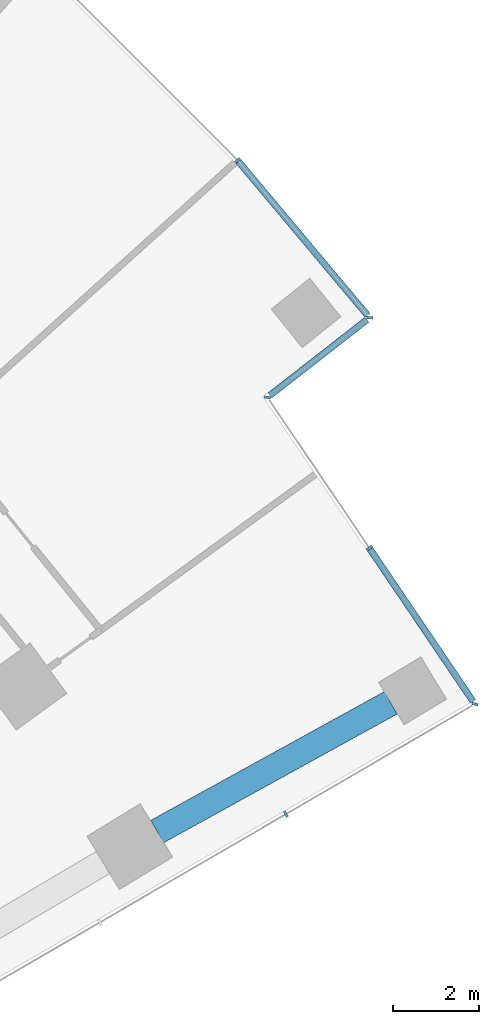
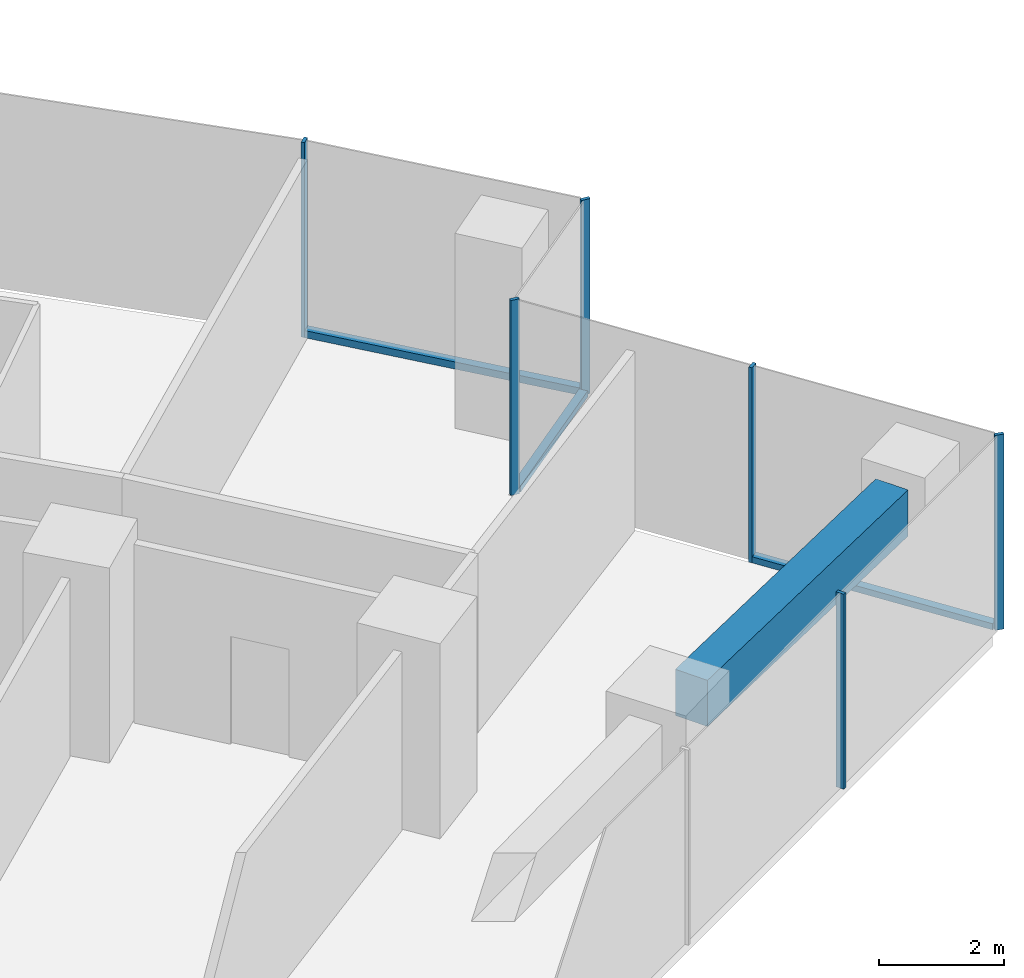
# One storey, part 9 of 21: 9 members, 1 beam, 4 elements without a shape of their own.
"""IFC4 building model written with IfcOpenShell, lengths in metres."""

from ifc_helpers import new_model, si_unit, direction, frame, origin, origin_2d, place, context, subcontext, project, spatial, rectangle, extrude, material, layer, layer_set, material_profile, profile_set, type_object, element, aggregate, save


model = new_model("IFC4")

# Units and contexts
model_context = context("Model", 3, precision=1e-05, world=origin(), true_north=direction((0.0, 1.0)))
body_context = subcontext(model_context, "Body", "Model", "MODEL_VIEW")
ifc_project = project(units=[si_unit("LENGTHUNIT", "METRE"), si_unit("AREAUNIT", "SQUARE_METRE"), si_unit("VOLUMEUNIT", "CUBIC_METRE"), si_unit("PLANEANGLEUNIT", "RADIAN"), si_unit("MASSUNIT", "GRAM", prefix="KILO")], contexts=[model_context])

# Site, building, storey
site_placement = place(None, origin())
site = spatial("IfcSite", under=ifc_project, at=site_placement, CompositionType="ELEMENT")
building_placement = place(site_placement, origin())
building = spatial("IfcBuilding", under=site, at=building_placement, Name="Stone Belt Terrace Tower", CompositionType="ELEMENT")
storey_placement = place(building_placement, frame((0.0, 0.0, 113.60009765625)))
storey = spatial("IfcBuildingStorey", under=building, at=storey_placement, Name="L27", CompositionType="ELEMENT", Elevation=113.60009765625)

# Curtain wall, members
ifc_material_1 = material(Name="Aluminium 6063-T6 anodised frame", Category="aluminium")
ifc_layer_1 = layer(ifc_material_1, 0.14990234375)
ifc_layer_set_1 = layer_set([ifc_layer_1], Name="CW-A unitised convex-face curtain wall")
curtain_wall_type_1 = type_object("IfcCurtainWallType", Name="CW-A unitised convex-face curtain wall", PredefinedType="NOTDEFINED", material=ifc_layer_set_1)
curtain_wall_1_placement = place(storey_placement, origin())
curtain_wall_1 = element("IfcCurtainWall", 1, at=curtain_wall_1_placement, inside=storey, type_object=curtain_wall_type_1, Name="CW-A convex face L27", PredefinedType="NOTDEFINED")
ifc_material_profile_1 = material_profile(ifc_material_1, rectangle(XDim=0.14990234375, YDim=0.06005859375, at=origin_2d()), Name="Aluminium 6063-T6 60x150")
ifc_profile_set_1 = profile_set([ifc_material_profile_1], Name="Aluminium 6063-T6 anodised frame")
member_type_1 = type_object("IfcMemberType", Name="CW-A mullion 60 x 150", PredefinedType="MULLION", material=ifc_profile_set_1)
member_1_placement = place(storey_placement, frame((52.539794921875, 40.89208984375, 0.0), z_axis=(0.0, 0.0, 1.0), x_axis=(-0.994464768622, 0.105070566623, 0.0)))
member_1 = element("IfcMember", 2, at=member_1_placement, type_object=member_type_1, Name="CW-A mullion 1", PredefinedType="MULLION", context=body_context, shape_type="SweptSolid", body=[
    extrude(rectangle(XDim=0.14990234375, YDim=0.06005859375, at=origin_2d()), origin(), (0.0, 0.0, 1.0), 3.7998046875),
])
member_2_placement = place(storey_placement, frame((49.474609375, 44.5478515625, 0.0), z_axis=(0.0, 0.0, 1.0), x_axis=(-0.737400080522, -0.675456231925, 0.0)))
member_2 = element("IfcMember", 3, at=member_2_placement, type_object=member_type_1, Name="CW-A mullion 2", PredefinedType="MULLION", context=body_context, shape_type="SweptSolid", body=[
    extrude(rectangle(XDim=0.14990234375, YDim=0.06005859375, at=origin_2d()), origin(), (0.0, 0.0, 1.0), 3.7998046875),
])
ifc_material_profile_2 = material_profile(ifc_material_1, rectangle(XDim=0.14990234375, YDim=0.139892578125, at=origin_2d()), Name="Aluminium 6063-T6 150x140")
ifc_profile_set_2 = profile_set([ifc_material_profile_2], Name="Aluminium 6063-T6 anodised frame")
member_type_2 = type_object("IfcMemberType", Name="CW-A transom 140 x 150", PredefinedType="USERDEFINED", material=ifc_profile_set_2)
member_3_placement = place(storey_placement, frame((52.49169921875, 40.949462890625, 0.06982421875), z_axis=(-0.642504178028, 0.766282181195, 0.0), x_axis=(-0.766282181195, -0.642504178028, 0.0)))
member_3 = element("IfcMember", 4, at=member_3_placement, type_object=member_type_2, Name="CW-A transom 1.1", ObjectType="TRANSOM", PredefinedType="USERDEFINED", context=body_context, shape_type="SweptSolid", body=[
    extrude(rectangle(XDim=0.14990234375, YDim=0.139892578125, at=origin_2d()), origin(), (0.0, 0.0, 1.0), 4.662841796875),
])
aggregate(curtain_wall_1, [member_1, member_2, member_3])

# Curtain wall, member
ifc_layer_2 = layer(ifc_material_1, 0.14990234375)
ifc_layer_set_2 = layer_set([ifc_layer_2], Name="CW-C stick curtain wall, horn ends and notches")
curtain_wall_type_2 = type_object("IfcCurtainWallType", Name="CW-C stick curtain wall, horn ends and notches", PredefinedType="NOTDEFINED", material=ifc_layer_set_2)
curtain_wall_2_placement = place(storey_placement, origin())
curtain_wall_2 = element("IfcCurtainWall", 5, at=curtain_wall_2_placement, inside=storey, type_object=curtain_wall_type_2, Name="CW-C end face L27", PredefinedType="NOTDEFINED")
ifc_material_profile_3 = material_profile(ifc_material_1, rectangle(XDim=0.14990234375, YDim=0.06005859375, at=origin_2d()), Name="Aluminium 6063-T6 60x150")
ifc_profile_set_3 = profile_set([ifc_material_profile_3], Name="Aluminium 6063-T6 anodised frame")
member_type_3 = type_object("IfcMemberType", Name="CW-C mullion 60 x 150", PredefinedType="MULLION", material=ifc_profile_set_3)
member_4_placement = place(storey_placement, frame((50.595703125, 29.365478515625, 0.0), z_axis=(0.0, 0.0, 1.0), x_axis=(-0.503080901861, 0.864239322284, 0.0)))
member_4 = element("IfcMember", 6, at=member_4_placement, type_object=member_type_3, Name="CW-C mullion 4", PredefinedType="MULLION", context=body_context, shape_type="SweptSolid", body=[
    extrude(rectangle(XDim=0.14990234375, YDim=0.06005859375, at=origin_2d()), origin(), (0.0, 0.0, 1.0), 3.7998046875),
])
aggregate(curtain_wall_2, [member_4])

# Curtain wall, members
curtain_wall_3_placement = place(storey_placement, origin())
curtain_wall_3 = element("IfcCurtainWall", 7, at=curtain_wall_3_placement, inside=storey, type_object=curtain_wall_type_2, Name="CW-C notch face L27", PredefinedType="NOTDEFINED")
member_5_placement = place(storey_placement, frame((54.986328125, 31.921142578125, 0.0), z_axis=(0.0, 0.0, 1.0), x_axis=(-0.974926991266, 0.222524968715, 0.0)))
member_5 = element("IfcMember", 8, at=member_5_placement, type_object=member_type_3, Name="CW-C mullion 1", PredefinedType="MULLION", context=body_context, shape_type="SweptSolid", body=[
    extrude(rectangle(XDim=0.14990234375, YDim=0.06005859375, at=origin_2d()), origin(), (0.0, 0.0, 1.0), 3.7998046875),
])
member_6_placement = place(storey_placement, frame((52.53515625, 35.5439453125, 0.0), z_axis=(0.0, 0.0, 1.0), x_axis=(-0.828244257471, -0.560367245622, 0.0)))
member_6 = element("IfcMember", 9, at=member_6_placement, type_object=member_type_3, Name="CW-C mullion 2", PredefinedType="MULLION", context=body_context, shape_type="SweptSolid", body=[
    extrude(rectangle(XDim=0.14990234375, YDim=0.06005859375, at=origin_2d()), origin(), (0.0, 0.0, 1.0), 3.7998046875),
])

# Curtain wall, member
curtain_wall_4_placement = place(storey_placement, origin())
curtain_wall_4 = element("IfcCurtainWall", 10, at=curtain_wall_4_placement, inside=storey, type_object=curtain_wall_type_2, Name="CW-C notch face L27", PredefinedType="NOTDEFINED")
member_7_placement = place(storey_placement, frame((50.16845703125, 39.0419921875, 0.0), z_axis=(0.0, 0.0, 1.0), x_axis=(-0.987742281651, 0.156093513764, 0.0)))
member_7 = element("IfcMember", 11, at=member_7_placement, type_object=member_type_3, Name="CW-C mullion 1", PredefinedType="MULLION", context=body_context, shape_type="SweptSolid", body=[
    extrude(rectangle(XDim=0.14990234375, YDim=0.06005859375, at=origin_2d()), origin(), (0.0, 0.0, 1.0), 3.7998046875),
])

# Member
ifc_material_profile_4 = material_profile(ifc_material_1, rectangle(XDim=0.14990234375, YDim=0.1201171875, at=origin_2d()), Name="Aluminium 6063-T6 150x120")
ifc_profile_set_4 = profile_set([ifc_material_profile_4], Name="Aluminium 6063-T6 anodised frame")
member_type_4 = type_object("IfcMemberType", Name="CW-C transom 120 x 150", PredefinedType="USERDEFINED", material=ifc_profile_set_4)
member_8_placement = place(storey_placement, frame((54.944091796875, 31.983642578125, 0.059814453125), z_axis=(-0.560388995766, 0.828229541507, 0.0), x_axis=(-0.828229541507, -0.560388995766, 0.0)))
member_8 = element("IfcMember", 12, at=member_8_placement, type_object=member_type_4, Name="CW-C transom 1.1", ObjectType="TRANSOM", PredefinedType="USERDEFINED", context=body_context, shape_type="SweptSolid", body=[
    extrude(rectangle(XDim=0.14990234375, YDim=0.1201171875, at=origin_2d()), origin(), (0.0, 0.0, 1.0), 4.2685546875),
])

aggregate(curtain_wall_3, [member_5, member_6, member_8])

member_9_placement = place(storey_placement, frame((50.22607421875, 39.087158203125, 0.059814453125), z_axis=(0.788505618167, 0.615027552325, 0.0), x_axis=(-0.615027552325, 0.788505618167, 0.0)))
member_9 = element("IfcMember", 13, at=member_9_placement, type_object=member_type_4, Name="CW-C transom 1.1", ObjectType="TRANSOM", PredefinedType="USERDEFINED", context=body_context, shape_type="SweptSolid", body=[
    extrude(rectangle(XDim=0.14990234375, YDim=0.1201171875, at=origin_2d()), origin(), (0.0, 0.0, 1.0), 2.859619140625),
])

aggregate(curtain_wall_4, [member_7, member_9])

# Beam
ifc_material_2 = material(Name="Concrete B60", Category="concrete")
ifc_material_profile_5 = material_profile(ifc_material_2, rectangle(XDim=0.60009765625, YDim=0.89990234375, at=origin_2d()), Name="RC 600x900")
ifc_profile_set_5 = profile_set([ifc_material_profile_5], Name="Concrete B60")
beam_type = type_object("IfcBeamType", Name="Edge beam RC 600x900 B60", PredefinedType="SPANDREL", material=ifc_profile_set_5)
beam_placement = place(storey_placement, frame((47.6083984375, 28.960693359375, 3.02978515625), z_axis=(0.875764462498, 0.482738652094, 0.0), x_axis=(-0.482738652094, 0.875764462498, 0.0)))
element("IfcBeam", 14, at=beam_placement, inside=storey, type_object=beam_type, Name="Edge beam L27 B Q to R", PredefinedType="SPANDREL", context=body_context, shape_type="SweptSolid", body=[
    extrude(rectangle(XDim=0.60009765625, YDim=0.89990234375, at=origin_2d()), origin(), (0.0, 0.0, 1.0), 6.19384765625),
])

save(model, "model.ifc")
